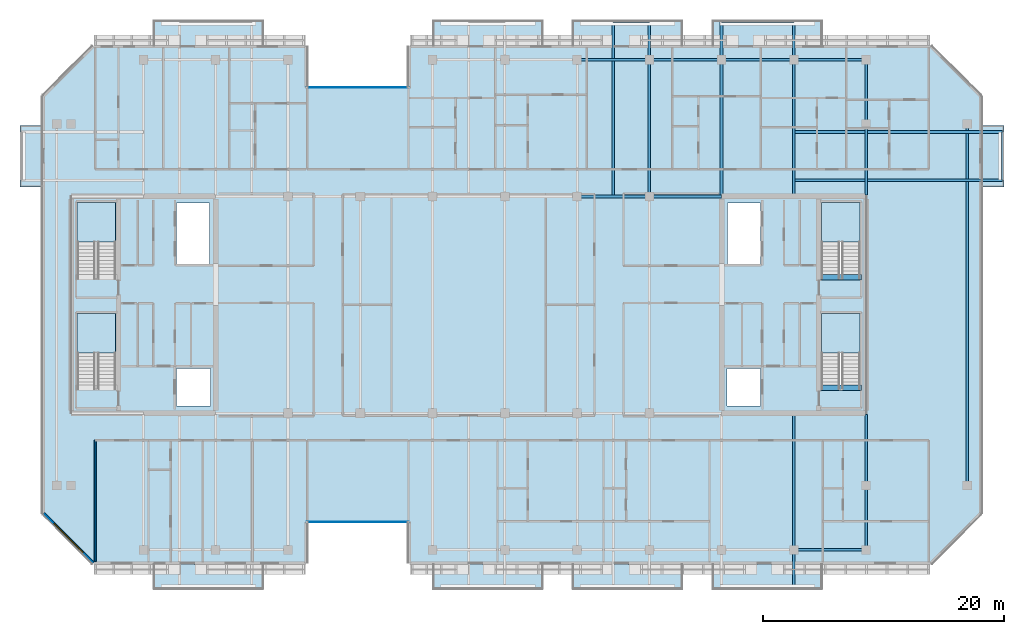
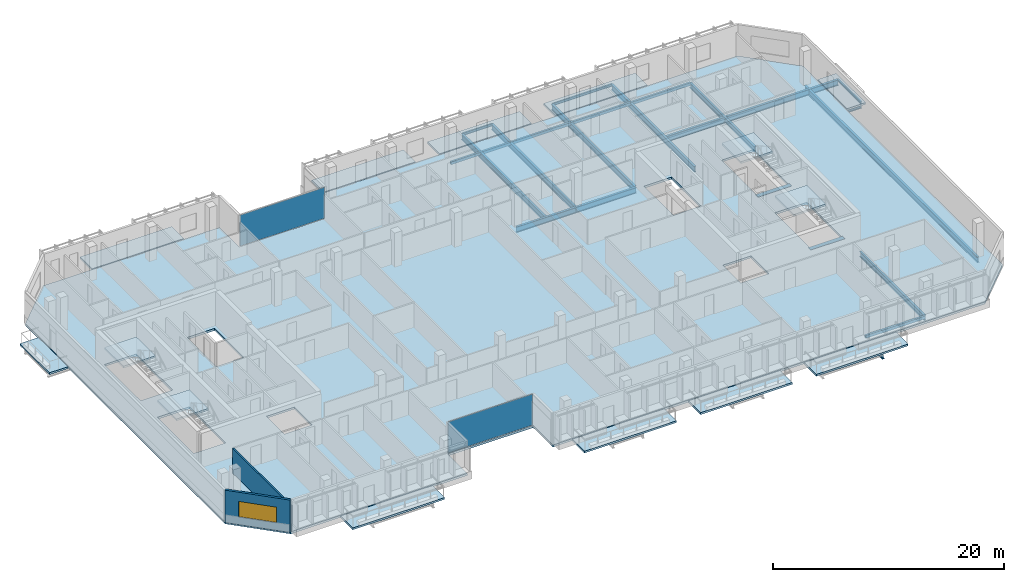
# One storey, part 9 of 23: 22 beams, 15 slabs, 2 plates, 2 walls, 1 window, 1 opening, 6 elements without a shape of their own.
"""IFC4 building model written with IfcOpenShell, lengths in metres."""

from ifc_helpers import new_model, si_unit, direction, frame, frame_2d, origin, origin_2d, place, context, subcontext, project, spatial, polyline, rectangle, hollow_rectangle, i_section, outline, extrude, material, layer, layer_set, material_profile, profile_set, type_object, element, fill, aggregate, save


model = new_model("IFC4")

# Units and contexts
model_context = context("Model", 3, precision=1e-05, world=origin(), true_north=direction((0.0, 1.0)))
body_context = subcontext(model_context, "Body", "Model", "MODEL_VIEW")
ifc_project = project(units=[si_unit("LENGTHUNIT", "METRE"), si_unit("AREAUNIT", "SQUARE_METRE"), si_unit("VOLUMEUNIT", "CUBIC_METRE"), si_unit("PLANEANGLEUNIT", "RADIAN"), si_unit("MASSUNIT", "GRAM", prefix="KILO")], contexts=[model_context])

# Site, building, storey
site_placement = place(None, origin())
site = spatial("IfcSite", under=ifc_project, at=site_placement, CompositionType="ELEMENT")
building_placement = place(site_placement, origin())
building = spatial("IfcBuilding", under=site, at=building_placement, Name="Tanjung Sevakor Pilgrim Tower", CompositionType="ELEMENT")
storey_placement = place(building_placement, frame((0.0, 0.0, 215.489990234375)))
storey = spatial("IfcBuildingStorey", under=building, at=storey_placement, Name="L60", CompositionType="ELEMENT", Elevation=215.489990234375)

# Beams
ifc_material_1 = material(Name="Steel S355J2", Category="steel")
ifc_material_profile_1 = material_profile(ifc_material_1, i_section(OverallWidth=0.22900390625, OverallDepth=0.6123046875, WebThickness=0.011962890625, FlangeThickness=0.01953125, FilletRadius=0.0126953125, at=origin_2d()))
ifc_profile_set_1 = profile_set([ifc_material_profile_1], Name="Steel S355J2")
beam_type_1 = type_object("IfcBeamType", Name="BM-B-G4-UB_610x229x125", PredefinedType="BEAM", material=ifc_profile_set_1)
beam_1_placement = place(storey_placement, frame((98.39990234375, 18.60009765625, -0.526123046875), z_axis=(0.0, 1.0, 0.0), x_axis=(-1.0, 0.0, 0.0)))
element("IfcBeam", 1, at=beam_1_placement, inside=storey, type_object=beam_type_1, Name="L60 Short-End Edge Girder E", PredefinedType="BEAM", context=body_context, shape_type="SweptSolid", body=[
    extrude(i_section(OverallWidth=0.22900390625, OverallDepth=0.6123046875, WebThickness=0.011962890625, FlangeThickness=0.01953125, FilletRadius=0.0126953125, at=origin_2d()), origin(), (0.0, 0.0, 1.0), 30.0),
])
for number, where, z_axis, x_axis, name in (
    (2, (84.0, 43.949951171875, -0.526123046875), (1.0, 0.0, 0.0), (0.0, 1.0, 0.0), "L60 Balcony Overhanging Beam MAIN-E1-1"),
    (3, (84.0, 47.949951171875, -0.526123046875), (1.0, 0.0, 0.0), (0.0, 1.0, 0.0), "L60 Balcony Overhanging Beam MAIN-E1-2"),
):
    element("IfcBeam", number, at=place(storey_placement, frame(where, z_axis=z_axis, x_axis=x_axis)), inside=storey, type_object=beam_type_1, Name=name, PredefinedType="BEAM", context=body_context, shape_type="SweptSolid", body=[
        extrude(i_section(OverallWidth=0.22900390625, OverallDepth=0.6123046875, WebThickness=0.011962890625, FlangeThickness=0.01953125, FilletRadius=0.0126953125, at=origin_2d()), origin(), (0.0, 0.0, 1.0), 17.330078125),
    ])
for number, where, z_axis, x_axis, name in (
    (4, (66.0, 42.60009765625, -0.526123046875), (1.0, 0.0, 0.0), (0.0, 1.0, 0.0), "L60 Primary Floor Girder MAIN Y426-07"),
    (5, (72.0, 42.60009765625, -0.526123046875), (1.0, 0.0, 0.0), (0.0, 1.0, 0.0), "L60 Primary Floor Girder MAIN Y426-08"),
):
    element("IfcBeam", number, at=place(storey_placement, frame(where, z_axis=z_axis, x_axis=x_axis)), inside=storey, type_object=beam_type_1, Name=name, PredefinedType="BEAM", context=body_context, shape_type="SweptSolid", body=[
        extrude(i_section(OverallWidth=0.22900390625, OverallDepth=0.6123046875, WebThickness=0.011962890625, FlangeThickness=0.01953125, FilletRadius=0.0126953125, at=origin_2d()), origin(), (0.0, 0.0, 1.0), 6.0),
    ])
beam_2_placement = place(storey_placement, frame((69.0, 42.714599609375, -0.526123046875), z_axis=(0.0, 1.0, 0.0), x_axis=(-1.0, 0.0, 0.0)))
element("IfcBeam", 6, at=beam_2_placement, inside=storey, type_object=beam_type_1, Name="L60 Balcony Cantilever Beam MAIN-N3-1", PredefinedType="BEAM", context=body_context, shape_type="SweptSolid", body=[
    extrude(i_section(OverallWidth=0.22900390625, OverallDepth=0.6123046875, WebThickness=0.011962890625, FlangeThickness=0.01953125, FilletRadius=0.0126953125, at=origin_2d()), origin(), (0.0, 0.0, 1.0), 14.415283203125),
])
beam_3_placement = place(storey_placement, frame((72.0, 42.60009765625, -0.526123046875), z_axis=(0.0, 1.0, 0.0), x_axis=(-1.0, 0.0, 0.0)))
element("IfcBeam", 7, at=beam_3_placement, inside=storey, type_object=beam_type_1, Name="L60 Balcony Cantilever Beam MAIN-N3-2", PredefinedType="BEAM", context=body_context, shape_type="SweptSolid", body=[
    extrude(i_section(OverallWidth=0.22900390625, OverallDepth=0.6123046875, WebThickness=0.011962890625, FlangeThickness=0.01953125, FilletRadius=0.0126953125, at=origin_2d()), origin(), (0.0, 0.0, 1.0), 14.52978515625),
])
beam_4_placement = place(storey_placement, frame((78.0, 42.714599609375, -0.526123046875), z_axis=(0.0, 1.0, 0.0), x_axis=(-1.0, 0.0, 0.0)))
element("IfcBeam", 8, at=beam_4_placement, inside=storey, type_object=beam_type_1, Name="L60 Balcony Cantilever Beam MAIN-N4-1", PredefinedType="BEAM", context=body_context, shape_type="SweptSolid", body=[
    extrude(i_section(OverallWidth=0.22900390625, OverallDepth=0.6123046875, WebThickness=0.011962890625, FlangeThickness=0.01953125, FilletRadius=0.0126953125, at=origin_2d()), origin(), (0.0, 0.0, 1.0), 14.415283203125),
])
beam_5_placement = place(storey_placement, frame((84.0, 24.485595703125, -0.526123046875), z_axis=(0.0, -1.0, 0.0), x_axis=(1.0, 0.0, 0.0)))
element("IfcBeam", 9, at=beam_5_placement, inside=storey, type_object=beam_type_1, Name="L60 Balcony Cantilever Beam MAIN-S4-2", PredefinedType="BEAM", context=body_context, shape_type="SweptSolid", body=[
    extrude(i_section(OverallWidth=0.22900390625, OverallDepth=0.6123046875, WebThickness=0.011962890625, FlangeThickness=0.01953125, FilletRadius=0.0126953125, at=origin_2d()), origin(), (0.0, 0.0, 1.0), 14.41552734375),
])
beam_6_placement = place(storey_placement, frame((84.0, 42.714599609375, -0.526123046875), z_axis=(0.0, 1.0, 0.0), x_axis=(-1.0, 0.0, 0.0)))
element("IfcBeam", 10, at=beam_6_placement, inside=storey, type_object=beam_type_1, Name="L60 Balcony Cantilever Beam MAIN-N4-2", PredefinedType="BEAM", context=body_context, shape_type="SweptSolid", body=[
    extrude(i_section(OverallWidth=0.22900390625, OverallDepth=0.6123046875, WebThickness=0.011962890625, FlangeThickness=0.01953125, FilletRadius=0.0126953125, at=origin_2d()), origin(), (0.0, 0.0, 1.0), 14.415283203125),
])
ifc_material_2 = material(Name="Steel S355J2", Category="steel")
ifc_material_profile_2 = material_profile(ifc_material_2, i_section(OverallWidth=0.2119140625, OverallDepth=0.54443359375, WebThickness=0.0126953125, FlangeThickness=0.021240234375, FilletRadius=0.0126953125, at=origin_2d()))
ifc_profile_set_2 = profile_set([ifc_material_profile_2], Name="Steel S355J2")
beam_type_2 = type_object("IfcBeamType", Name="BM-B-G5-UB_533x210x122", PredefinedType="BEAM", material=ifc_profile_set_2)
beam_7_placement = place(storey_placement, frame((90.0, 13.25, -0.4921875), z_axis=(0.0, 1.0, 0.0), x_axis=(-1.0, 0.0, 0.0)))
element("IfcBeam", 11, at=beam_7_placement, inside=storey, type_object=beam_type_2, Name="L60 MAIN Girder 017", PredefinedType="BEAM", context=body_context, shape_type="SweptSolid", body=[
    extrude(i_section(OverallWidth=0.2119140625, OverallDepth=0.54443359375, WebThickness=0.0126953125, FlangeThickness=0.021240234375, FilletRadius=0.0126953125, at=origin_2d()), origin(), (0.0, 0.0, 1.0), 11.235595703125),
])
beam_8_placement = place(storey_placement, frame((90.0, 42.714599609375, -0.4921875), z_axis=(0.0, 1.0, 0.0), x_axis=(-1.0, 0.0, 0.0)))
element("IfcBeam", 12, at=beam_8_placement, inside=storey, type_object=beam_type_2, Name="L60 MAIN Girder 018", PredefinedType="BEAM", context=body_context, shape_type="SweptSolid", body=[
    extrude(i_section(OverallWidth=0.2119140625, OverallDepth=0.54443359375, WebThickness=0.0126953125, FlangeThickness=0.021240234375, FilletRadius=0.0126953125, at=origin_2d()), origin(), (0.0, 0.0, 1.0), 11.2353515625),
])
ifc_material_3 = material(Name="Steel S355J2", Category="steel")
ifc_material_profile_3 = material_profile(ifc_material_3, i_section(OverallWidth=0.146484375, OverallDepth=0.256103515625, WebThickness=0.00634765625, FlangeThickness=0.010986328125, FilletRadius=0.007568359375, at=origin_2d()))
ifc_profile_set_3 = profile_set([ifc_material_profile_3], Name="Steel S355J2")
beam_type_3 = type_object("IfcBeamType", Name="BM-B-J6-UB_254x146x37", PredefinedType="JOIST", material=ifc_profile_set_3)
beam_9_placement = place(storey_placement, frame((69.0, 57.1298828125, -0.327880859375), z_axis=(1.0, 0.0, 0.0), x_axis=(0.0, 1.0, 0.0)))
element("IfcBeam", 13, at=beam_9_placement, inside=storey, type_object=beam_type_3, Name="L60 Balcony Rim Tie MAIN-N3", PredefinedType="JOIST", context=body_context, shape_type="SweptSolid", body=[
    extrude(i_section(OverallWidth=0.146484375, OverallDepth=0.256103515625, WebThickness=0.00634765625, FlangeThickness=0.010986328125, FilletRadius=0.007568359375, at=origin_2d()), origin(), (0.0, 0.0, 1.0), 3.0),
])
beam_10_placement = place(storey_placement, frame((78.0, 57.1298828125, -0.327880859375), z_axis=(1.0, 0.0, 0.0), x_axis=(0.0, 1.0, 0.0)))
element("IfcBeam", 14, at=beam_10_placement, inside=storey, type_object=beam_type_3, Name="L60 Balcony Rim Tie MAIN-N4", PredefinedType="JOIST", context=body_context, shape_type="SweptSolid", body=[
    extrude(i_section(OverallWidth=0.146484375, OverallDepth=0.256103515625, WebThickness=0.00634765625, FlangeThickness=0.010986328125, FilletRadius=0.007568359375, at=origin_2d()), origin(), (0.0, 0.0, 1.0), 6.0),
])
beam_11_placement = place(storey_placement, frame((101.330078125, 43.949951171875, -0.327880859375), z_axis=(0.0, 1.0, 0.0), x_axis=(-1.0, 0.0, 0.0)))
element("IfcBeam", 15, at=beam_11_placement, inside=storey, type_object=beam_type_3, Name="L60 Balcony Rim Tie MAIN-E1", PredefinedType="JOIST", context=body_context, shape_type="SweptSolid", body=[
    extrude(i_section(OverallWidth=0.146484375, OverallDepth=0.256103515625, WebThickness=0.00634765625, FlangeThickness=0.010986328125, FilletRadius=0.007568359375, at=origin_2d()), origin(), (0.0, 0.0, 1.0), 4.0),
])
ifc_material_4 = material(Name="Concrete C60/75", Category="concrete")
ifc_material_profile_4 = material_profile(ifc_material_4, rectangle(XDim=0.449951171875, YDim=0.699951171875, at=origin_2d()))
ifc_profile_set_4 = profile_set([ifc_material_profile_4], Name="Concrete C60/75")
beam_type_4 = type_object("IfcBeamType", Name="BM-B-LN3-RC-BM_450x700", PredefinedType="LINTEL", material=ifc_profile_set_4)
for number, where, z_axis, x_axis, name in (
    (16, (86.199951171875, 26.699951171875, -0.35009765625), (1.0, 0.0, 0.0), (0.0, 1.0, 0.0), "L60 TS-E1 Stair Threshold Beam"),
    (17, (86.199951171875, 35.89990234375, -0.35009765625), (1.0, 0.0, 0.0), (0.0, 1.0, 0.0), "L60 TS-E2 Stair Threshold Beam"),
):
    element("IfcBeam", number, at=place(storey_placement, frame(where, z_axis=z_axis, x_axis=x_axis)), inside=storey, type_object=beam_type_4, Name=name, PredefinedType="LINTEL", context=body_context, shape_type="SweptSolid", body=[
        extrude(rectangle(XDim=0.449951171875, YDim=0.699951171875, at=origin_2d()), origin(), (0.0, 0.0, 1.0), 3.400146484375),
    ])
ifc_material_5 = material(Name="Steel S355J2", Category="steel")
ifc_material_profile_5 = material_profile(ifc_material_5, hollow_rectangle(XDim=0.199951171875, YDim=0.300048828125, WallThickness=0.012451171875, at=origin_2d()))
ifc_profile_set_5 = profile_set([ifc_material_profile_5], Name="Steel S355J2")
beam_type_5 = type_object("IfcBeamType", Name="BM-B-SP3-RHS_300x200x12.5", PredefinedType="SPANDREL", material=ifc_profile_set_5)
for number, where, z_axis, x_axis, name in (
    (18, (66.0, 53.949951171875, -0.369873046875), (1.0, 0.0, 0.0), (0.0, 1.0, 0.0), "L60 Spandrel MAIN N-10"),
    (19, (72.0, 53.949951171875, -0.369873046875), (1.0, 0.0, 0.0), (0.0, 1.0, 0.0), "L60 Spandrel MAIN N-12"),
    (20, (78.0, 53.949951171875, -0.369873046875), (1.0, 0.0, 0.0), (0.0, 1.0, 0.0), "L60 Spandrel MAIN N-14"),
    (21, (84.0, 13.25, -0.369873046875), (1.0, 0.0, 0.0), (0.0, 1.0, 0.0), "L60 Spandrel MAIN S-15"),
    (22, (84.0, 53.949951171875, -0.369873046875), (1.0, 0.0, 0.0), (0.0, 1.0, 0.0), "L60 Spandrel MAIN N-16"),
):
    element("IfcBeam", number, at=place(storey_placement, frame(where, z_axis=z_axis, x_axis=x_axis)), inside=storey, type_object=beam_type_5, Name=name, PredefinedType="SPANDREL", context=body_context, shape_type="SweptSolid", body=[
        extrude(hollow_rectangle(XDim=0.199951171875, YDim=0.300048828125, WallThickness=0.012451171875, at=origin_2d()), origin(), (0.0, 0.0, 1.0), 6.0),
    ])

# Slabs
ifc_material_6 = material(Name="Concrete C40/50", Category="concrete")
ifc_layer_1 = layer(ifc_material_6, 0.199951171875)
ifc_layer_set_1 = layer_set([ifc_layer_1], Name="SL-BAL-200")
slab_type_1 = type_object("IfcSlabType", Name="SL-BAL-200", PredefinedType="FLOOR", material=ifc_layer_set_1)
slab_1_placement = place(storey_placement, frame((0.0, 0.0, -0.199951171875)))
element("IfcSlab", 23, at=slab_1_placement, inside=storey, type_object=slab_type_1, Name="L60 Planted Loggia Balcony MAIN-S1", PredefinedType="FLOOR", context=body_context, shape_type="SweptSolid", body=[
    extrude(outline(polyline([(30.800048828125, 9.949951171875), (40.0, 9.949951171875), (40.0, 12.050048828125), (30.800048828125, 12.050048828125), (30.800048828125, 9.949951171875)])), origin(), (0.0, 0.0, 1.0), 0.199951171875),
])
slab_2_placement = place(storey_placement, frame((0.0, 0.0, -0.199951171875)))
element("IfcSlab", 24, at=slab_2_placement, inside=storey, type_object=slab_type_1, Name="L60 Planted Loggia Balcony MAIN-N1", PredefinedType="FLOOR", context=body_context, shape_type="SweptSolid", body=[
    extrude(outline(polyline([(30.800048828125, 55.14990234375), (40.0, 55.14990234375), (40.0, 57.25), (30.800048828125, 57.25), (30.800048828125, 55.14990234375)])), origin(), (0.0, 0.0, 1.0), 0.199951171875),
])
slab_3_placement = place(storey_placement, frame((0.0, 0.0, -0.199951171875)))
element("IfcSlab", 25, at=slab_3_placement, inside=storey, type_object=slab_type_1, Name="L60 Planted Loggia Balcony MAIN-S2", PredefinedType="FLOOR", context=body_context, shape_type="SweptSolid", body=[
    extrude(outline(polyline([(54.0, 9.949951171875), (63.199951171875, 9.949951171875), (63.199951171875, 12.050048828125), (54.0, 12.050048828125), (54.0, 9.949951171875)])), origin(), (0.0, 0.0, 1.0), 0.199951171875),
])
slab_4_placement = place(storey_placement, frame((0.0, 0.0, -0.199951171875)))
element("IfcSlab", 26, at=slab_4_placement, inside=storey, type_object=slab_type_1, Name="L60 Planted Loggia Balcony MAIN-N2", PredefinedType="FLOOR", context=body_context, shape_type="SweptSolid", body=[
    extrude(outline(polyline([(54.0, 55.14990234375), (63.199951171875, 55.14990234375), (63.199951171875, 57.25), (54.0, 57.25), (54.0, 55.14990234375)])), origin(), (0.0, 0.0, 1.0), 0.199951171875),
])
slab_5_placement = place(storey_placement, frame((0.0, 0.0, -0.199951171875)))
element("IfcSlab", 27, at=slab_5_placement, inside=storey, type_object=slab_type_1, Name="L60 Planted Loggia Balcony MAIN-S3", PredefinedType="FLOOR", context=body_context, shape_type="SweptSolid", body=[
    extrude(outline(polyline([(65.60009765625, 9.949951171875), (74.800048828125, 9.949951171875), (74.800048828125, 12.050048828125), (65.60009765625, 12.050048828125), (65.60009765625, 9.949951171875)])), origin(), (0.0, 0.0, 1.0), 0.199951171875),
])
slab_6_placement = place(storey_placement, frame((0.0, 0.0, -0.199951171875)))
element("IfcSlab", 28, at=slab_6_placement, inside=storey, type_object=slab_type_1, Name="L60 Planted Loggia Balcony MAIN-N3", PredefinedType="FLOOR", context=body_context, shape_type="SweptSolid", body=[
    extrude(outline(polyline([(65.60009765625, 55.14990234375), (74.800048828125, 55.14990234375), (74.800048828125, 57.25), (65.60009765625, 57.25), (65.60009765625, 55.14990234375)])), origin(), (0.0, 0.0, 1.0), 0.199951171875),
])
slab_7_placement = place(storey_placement, frame((0.0, 0.0, -0.199951171875)))
element("IfcSlab", 29, at=slab_7_placement, inside=storey, type_object=slab_type_1, Name="L60 Planted Loggia Balcony MAIN-S4", PredefinedType="FLOOR", context=body_context, shape_type="SweptSolid", body=[
    extrude(outline(polyline([(77.199951171875, 9.949951171875), (86.39990234375, 9.949951171875), (86.39990234375, 12.050048828125), (77.199951171875, 12.050048828125), (77.199951171875, 9.949951171875)])), origin(), (0.0, 0.0, 1.0), 0.199951171875),
])
slab_8_placement = place(storey_placement, frame((0.0, 0.0, -0.199951171875)))
element("IfcSlab", 30, at=slab_8_placement, inside=storey, type_object=slab_type_1, Name="L60 Planted Loggia Balcony MAIN-N4", PredefinedType="FLOOR", context=body_context, shape_type="SweptSolid", body=[
    extrude(outline(polyline([(77.199951171875, 55.14990234375), (86.39990234375, 55.14990234375), (86.39990234375, 57.25), (77.199951171875, 57.25), (77.199951171875, 55.14990234375)])), origin(), (0.0, 0.0, 1.0), 0.199951171875),
])
slab_9_placement = place(storey_placement, frame((0.0, 0.0, -0.199951171875)))
element("IfcSlab", 31, at=slab_9_placement, inside=storey, type_object=slab_type_1, Name="L60 Planted Loggia Balcony MAIN-W1", PredefinedType="FLOOR", context=body_context, shape_type="SweptSolid", body=[
    extrude(outline(polyline([(19.75, 43.39990234375), (21.60009765625, 43.39990234375), (21.60009765625, 48.5), (19.75, 48.5), (19.75, 43.39990234375)])), origin(), (0.0, 0.0, 1.0), 0.199951171875),
])
slab_10_placement = place(storey_placement, frame((0.0, 0.0, -0.199951171875)))
element("IfcSlab", 32, at=slab_10_placement, inside=storey, type_object=slab_type_1, Name="L60 Planted Loggia Balcony MAIN-E1", PredefinedType="FLOOR", context=body_context, shape_type="SweptSolid", body=[
    extrude(outline(polyline([(99.60009765625, 43.39990234375), (101.449951171875, 43.39990234375), (101.449951171875, 48.5), (99.60009765625, 48.5), (99.60009765625, 43.39990234375)])), origin(), (0.0, 0.0, 1.0), 0.199951171875),
])

# Stair, slab
ifc_material_7 = material(Name="Concrete C40/50", Category="concrete")
stair_type = type_object("IfcStairType", Name="STAIR-ST-CR150", PredefinedType="HALF_TURN_STAIR", material=ifc_material_7)
stair_1_placement = place(storey_placement, origin())
stair_1 = element("IfcStair", 33, at=stair_1_placement, inside=storey, type_object=stair_type, Name="L60 West Core Exit Stair 1", PredefinedType="HALF_TURN_STAIR")
ifc_material_8 = material(Name="Concrete C40/50", Category="concrete")
ifc_layer_2 = layer(ifc_material_8, 0.199951171875)
ifc_layer_set_2 = layer_set([ifc_layer_2], Name="SL-LAND-200")
slab_type_2 = type_object("IfcSlabType", Name="SL-LAND-200", PredefinedType="LANDING", material=ifc_layer_set_2)
slab_11_placement = place(storey_placement, frame((0.0, 0.0, 1.614990234375)))
slab_11 = element("IfcSlab", 34, at=slab_11_placement, type_object=slab_type_2, Name="TS-W1 landing 1", PredefinedType="LANDING", context=body_context, shape_type="SweptSolid", body=[
    extrude(outline(polyline([(27.699951171875, 29.60009765625), (27.699951171875, 32.89990234375), (24.5, 32.89990234375), (24.5, 29.60009765625), (27.699951171875, 29.60009765625)])), origin(), (0.0, 0.0, 1.0), 0.199951171875),
])
aggregate(stair_1, [slab_11])

stair_2_placement = place(storey_placement, origin())
stair_2 = element("IfcStair", 35, at=stair_2_placement, inside=storey, type_object=stair_type, Name="L60 West Core Exit Stair 2", PredefinedType="HALF_TURN_STAIR")
slab_12_placement = place(storey_placement, frame((0.0, 0.0, 1.614990234375)))
slab_12 = element("IfcSlab", 36, at=slab_12_placement, type_object=slab_type_2, Name="TS-W2 landing 1", PredefinedType="LANDING", context=body_context, shape_type="SweptSolid", body=[
    extrude(outline(polyline([(27.699951171875, 38.800048828125), (27.699951171875, 42.10009765625), (24.5, 42.10009765625), (24.5, 38.800048828125), (27.699951171875, 38.800048828125)])), origin(), (0.0, 0.0, 1.0), 0.199951171875),
])
aggregate(stair_2, [slab_12])

stair_3_placement = place(storey_placement, origin())
stair_3 = element("IfcStair", 37, at=stair_3_placement, inside=storey, type_object=stair_type, Name="L60 East Core Exit Stair 1", PredefinedType="HALF_TURN_STAIR")
slab_13_placement = place(storey_placement, frame((0.0, 0.0, 1.614990234375)))
slab_13 = element("IfcSlab", 38, at=slab_13_placement, type_object=slab_type_2, Name="TS-E1 landing 1", PredefinedType="LANDING", context=body_context, shape_type="SweptSolid", body=[
    extrude(outline(polyline([(89.5, 29.60009765625), (89.5, 32.89990234375), (86.300048828125, 32.89990234375), (86.300048828125, 29.60009765625), (89.5, 29.60009765625)])), origin(), (0.0, 0.0, 1.0), 0.199951171875),
])
aggregate(stair_3, [slab_13])

stair_4_placement = place(storey_placement, origin())
stair_4 = element("IfcStair", 39, at=stair_4_placement, inside=storey, type_object=stair_type, Name="L60 East Core Exit Stair 2", PredefinedType="HALF_TURN_STAIR")
slab_14_placement = place(storey_placement, frame((0.0, 0.0, 1.614990234375)))
slab_14 = element("IfcSlab", 40, at=slab_14_placement, type_object=slab_type_2, Name="TS-E2 landing 1", PredefinedType="LANDING", context=body_context, shape_type="SweptSolid", body=[
    extrude(outline(polyline([(89.5, 38.800048828125), (89.5, 42.10009765625), (86.300048828125, 42.10009765625), (86.300048828125, 38.800048828125), (89.5, 38.800048828125)])), origin(), (0.0, 0.0, 1.0), 0.199951171875),
])
aggregate(stair_4, [slab_14])

# Slab
ifc_material_9 = material(Name="Concrete C40/50", Category="concrete")
ifc_layer_3 = layer(ifc_material_9, 0.219970703125)
ifc_layer_set_3 = layer_set([ifc_layer_3], Name="SL-TWR-220")
slab_type_3 = type_object("IfcSlabType", Name="SL-TWR-220", PredefinedType="FLOOR", material=ifc_layer_set_3)
slab_15_placement = place(storey_placement, frame((0.0, 0.0, -0.219970703125)))
element("IfcSlab", 41, at=slab_15_placement, inside=storey, type_object=slab_type_3, Name="L60 Floor Slab MAIN", PredefinedType="FLOOR", context=body_context, shape_type="SweptSolid", body=[
    extrude(outline(polyline([(25.846923828125, 12.1298828125), (43.52001953125, 12.1298828125), (43.52001953125, 15.530029296875), (52.080078125, 15.530029296875), (52.080078125, 12.1298828125), (95.35302734375, 12.1298828125), (99.52001953125, 16.296875), (99.52001953125, 50.903076171875), (95.35302734375, 55.070068359375), (52.080078125, 55.070068359375), (52.080078125, 51.669921875), (43.52001953125, 51.669921875), (43.52001953125, 55.070068359375), (25.846923828125, 55.070068359375), (21.679931640625, 50.903076171875), (21.679931640625, 16.296875), (25.846923828125, 12.1298828125)]), holes=[polyline([(27.699951171875, 26.60009765625), (27.699951171875, 32.89990234375), (24.5, 32.89990234375), (24.5, 26.60009765625), (27.699951171875, 26.60009765625)]), polyline([(27.699951171875, 35.800048828125), (27.699951171875, 42.10009765625), (24.5, 42.10009765625), (24.5, 35.800048828125), (27.699951171875, 35.800048828125)]), polyline([(89.5, 26.60009765625), (89.5, 32.89990234375), (86.300048828125, 32.89990234375), (86.300048828125, 26.60009765625), (89.5, 26.60009765625)]), polyline([(89.5, 35.800048828125), (89.5, 42.10009765625), (86.300048828125, 42.10009765625), (86.300048828125, 35.800048828125), (89.5, 35.800048828125)]), polyline([(32.75, 25.199951171875), (35.550048828125, 25.199951171875), (35.550048828125, 28.300048828125), (32.75, 28.300048828125), (32.75, 25.199951171875)]), polyline([(32.75, 37.0), (35.5, 37.0), (35.5, 42.050048828125), (32.75, 42.050048828125), (32.75, 37.0)]), polyline([(78.449951171875, 25.199951171875), (81.25, 25.199951171875), (81.25, 28.300048828125), (78.449951171875, 28.300048828125), (78.449951171875, 25.199951171875)]), polyline([(78.5, 37.0), (81.25, 37.0), (81.25, 42.050048828125), (78.5, 42.050048828125), (78.5, 37.0)])]), origin(), (0.0, 0.0, 1.0), 0.219970703125),
])

# Curtain wall, plate
ifc_material_10 = material(Name="Aluminium 6063-T6 and Low-E Glass", Category="aluminium")
ifc_layer_4 = layer(ifc_material_10, 0.179931640625)
ifc_layer_set_4 = layer_set([ifc_layer_4], Name="CW-SYS-CLEFT")
curtain_wall_type = type_object("IfcCurtainWallType", Name="CW-SYS-CLEFT", PredefinedType="NOTDEFINED", material=ifc_layer_set_4)
curtain_wall_1_placement = place(storey_placement, origin())
curtain_wall_1 = element("IfcCurtainWall", 42, at=curtain_wall_1_placement, inside=storey, type_object=curtain_wall_type, Name="L60 Curtain Wall CW-CLF-L60-2", PredefinedType="NOTDEFINED")
ifc_material_11 = material(Name="Laminated Low-E Double Glazing", Category="glass")
ifc_layer_5 = layer(ifc_material_11, 0.028076171875)
ifc_layer_set_5 = layer_set([ifc_layer_5], Name="TYPE-CWP-GLZ1")
plate_type = type_object("IfcPlateType", Name="TYPE-CWP-GLZ1", PredefinedType="CURTAIN_PANEL", material=ifc_layer_set_5)
plate_1_placement = place(storey_placement, frame((47.800048828125, 15.56005859375, 0.06494140625), z_axis=(0.0, 0.0, 1.0), x_axis=(1.0, 0.0, 0.0)))
plate_1 = element("IfcPlate", 43, at=plate_1_placement, type_object=plate_type, Name="CW-CLF panel 1.1", PredefinedType="CURTAIN_PANEL", context=body_context, shape_type="SweptSolid", body=[
    extrude(rectangle(XDim=8.469970703125, YDim=0.028076171875, at=origin_2d()), origin(), (0.0, 0.0, 1.0), 3.280029296875),
])
aggregate(curtain_wall_1, [plate_1])

curtain_wall_2_placement = place(storey_placement, origin())
curtain_wall_2 = element("IfcCurtainWall", 44, at=curtain_wall_2_placement, inside=storey, type_object=curtain_wall_type, Name="L60 Curtain Wall CW-CLF-L60-10", PredefinedType="NOTDEFINED")
plate_2_placement = place(storey_placement, frame((47.800048828125, 51.639892578125, 0.06494140625), z_axis=(0.0, 0.0, 1.0), x_axis=(-1.0, 0.0, 0.0)))
plate_2 = element("IfcPlate", 45, at=plate_2_placement, type_object=plate_type, Name="CW-CLF panel 1.1", PredefinedType="CURTAIN_PANEL", context=body_context, shape_type="SweptSolid", body=[
    extrude(rectangle(XDim=8.469970703125, YDim=0.028076171875, at=origin_2d()), origin(), (0.0, 0.0, 1.0), 3.280029296875),
])
aggregate(curtain_wall_2, [plate_2])

# Wall
ifc_material_12 = material(Name="Concrete C40/50", Category="concrete")
ifc_layer_6 = layer(ifc_material_12, 0.14990234375)
ifc_layer_set_6 = layer_set([ifc_layer_6], Name="WT-COMP-150")
wall_type_1 = type_object("IfcWallType", Name="WT-COMP-150", PredefinedType="SOLIDWALL", material=ifc_layer_set_6)
wall_1_placement = place(storey_placement, frame((26.0, 12.27001953125, 0.0), z_axis=(0.0, 0.0, 1.0), x_axis=(0.0, 1.0, 0.0)))
element("IfcWall", 46, at=wall_1_placement, inside=storey, type_object=wall_type_1, Name="L60 Partition IW-L60-065", PredefinedType="SOLIDWALL", context=body_context, shape_type="SweptSolid", body=[
    extrude(rectangle(XDim=10.080078125, YDim=0.14990234375, at=frame_2d((5.0400390625, 0.0))), origin(), (0.0, 0.0, 1.0), 2.6298828125),
])

# Wall, opening, window
ifc_material_13 = material(Name="Precast concrete C45/55", Category="concrete")
ifc_layer_7 = layer(ifc_material_13, 0.219970703125)
ifc_layer_set_7 = layer_set([ifc_layer_7], Name="WT-EW-STN4")
wall_type_2 = type_object("IfcWallType", Name="WT-EW-STN4", PredefinedType="SOLIDWALL", material=ifc_layer_set_7)
wall_2_placement = place(storey_placement, frame((21.7099609375, 16.295654296875, 0.0), z_axis=(0.0, 0.0, 1.0), x_axis=(0.707106781187, -0.707106781187, 0.0)))
wall_2 = element("IfcWall", 47, at=wall_2_placement, inside=storey, type_object=wall_type_2, Name="L60 MAIN Sculpted Corner Wall 15", PredefinedType="SOLIDWALL", context=body_context, shape_type="SweptSolid", body=[
    extrude(rectangle(XDim=5.848876953125, YDim=0.219970703125, at=frame_2d((2.92431640625, 0.0))), origin(), (0.0, 0.0, 1.0), 3.409912109375),
])
opening_placement = place(wall_2_placement, frame((1.224365234375, 0.0, 0.780029296875)))
opening = element("IfcOpeningElement", 48, at=opening_placement, cuts=wall_2, Name="Opening WN-CHM-1660", PredefinedType="OPENING", context=body_context, shape_type="SweptSolid", body=[
    extrude(rectangle(XDim=3.39990234375, YDim=1.659912109375, at=frame_2d((1.699951171875, 0.830078125))), frame((0.0, 0.119873046875, 0.0), z_axis=(0.0, -1.0, 0.0), x_axis=(1.0, 0.0, 0.0)), (0.0, 0.0, 1.0), 0.239990234375),
])
ifc_material_14 = material(Name="Thermally Broken Aluminium and Low-E Glass", Category="aluminium")
window_type = type_object("IfcWindowType", Name="WTYP-WN-CHM-1660", PartitioningType="DOUBLE_PANEL_VERTICAL", PredefinedType="WINDOW", material=ifc_material_14)
window_placement = place(opening_placement, origin())
window = element("IfcWindow", 49, at=window_placement, inside=storey, type_object=window_type, Name="L60 Facade Window 01", OverallHeight=1.659912109375, OverallWidth=3.39990234375, PartitioningType="SINGLE_PANEL", PredefinedType="WINDOW", context=body_context, shape_type="SweptSolid", body=[
    extrude(rectangle(XDim=3.39990234375, YDim=1.659912109375, at=frame_2d((1.699951171875, 0.830078125))), frame((0.0, 0.030029296875, 0.0), z_axis=(0.0, -1.0, 0.0), x_axis=(1.0, 0.0, 0.0)), (0.0, 0.0, 1.0), 0.06005859375),
])
fill(opening, window)

save(model, "model.ifc")
